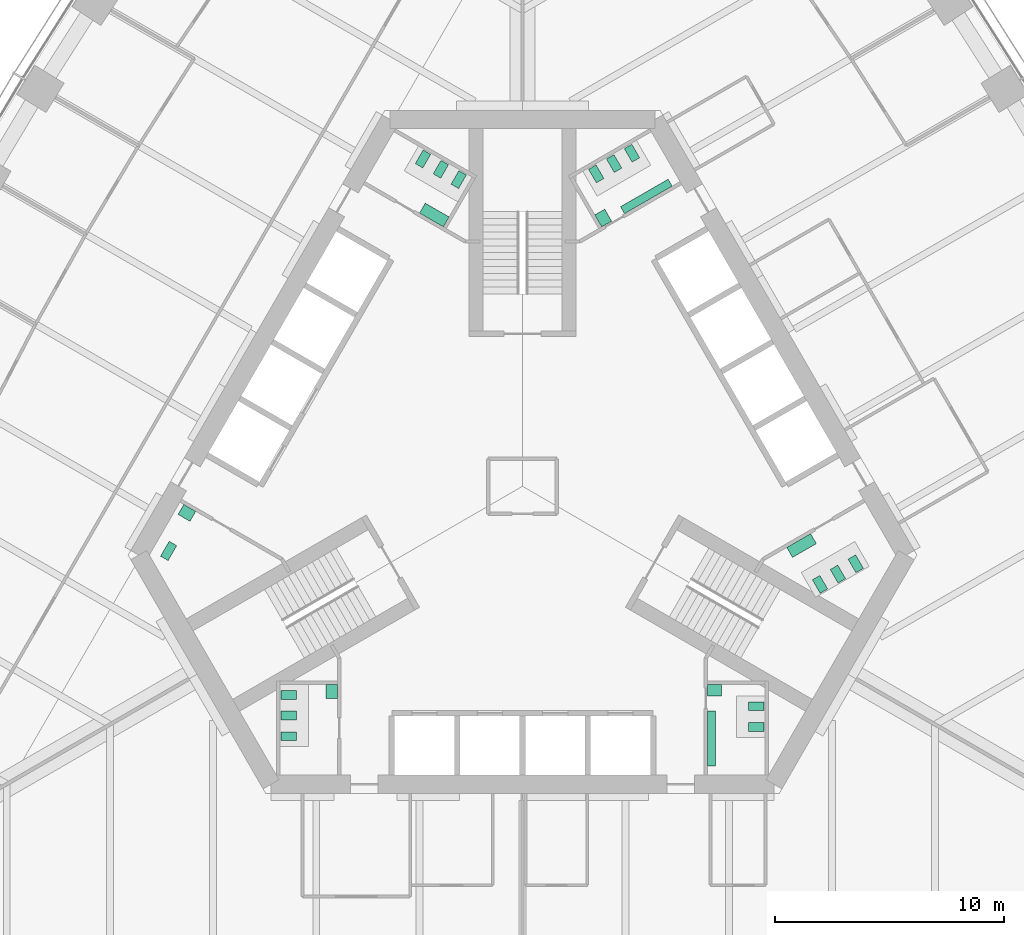
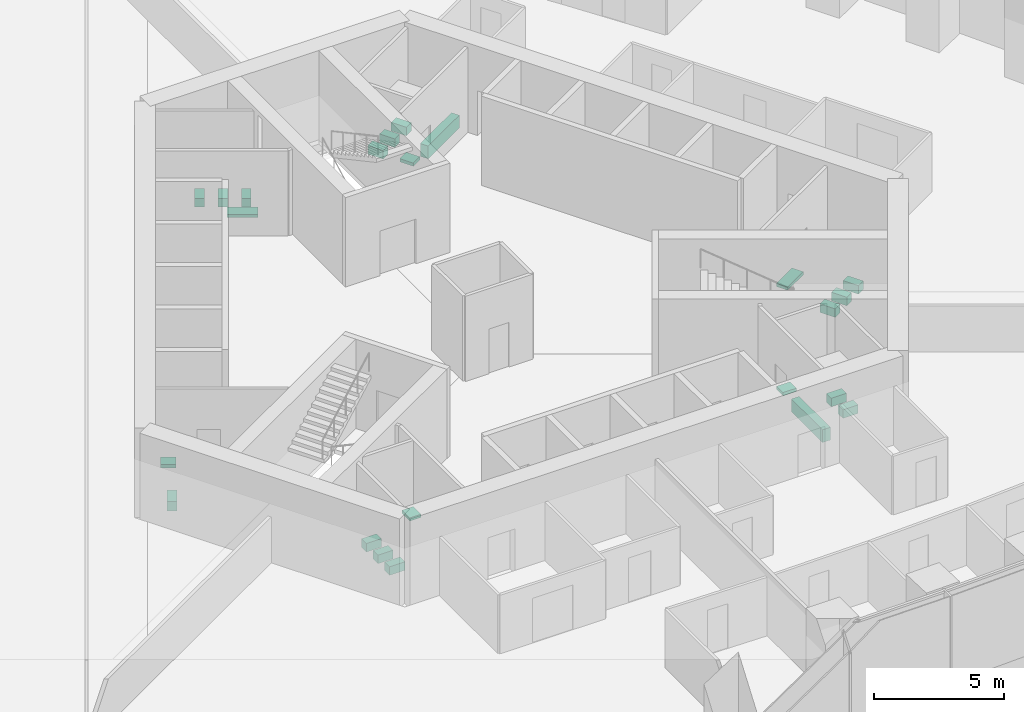
# One storey, part 17 of 18: 23 sanitary terminals.
"""IFC4 building model written with IfcOpenShell, lengths in metres."""

from ifc_helpers import new_model, si_unit, direction, frame, origin, place, context, subcontext, project, spatial, polyline, outline, extrude, material, type_object, element, save


model = new_model("IFC4")

# Units and contexts
model_context = context("Model", 3, precision=1e-05, world=origin(), true_north=direction((0.0, 1.0)))
body_context = subcontext(model_context, "Body", "Model", "MODEL_VIEW")
ifc_project = project(units=[si_unit("LENGTHUNIT", "METRE"), si_unit("AREAUNIT", "SQUARE_METRE"), si_unit("VOLUMEUNIT", "CUBIC_METRE"), si_unit("PLANEANGLEUNIT", "RADIAN"), si_unit("MASSUNIT", "GRAM", prefix="KILO")], contexts=[model_context])

# Site, building, storey
site_placement = place(None, origin())
site = spatial("IfcSite", under=ifc_project, at=site_placement, CompositionType="ELEMENT")
building_placement = place(site_placement, origin())
building = spatial("IfcBuilding", under=site, at=building_placement, Name="Trefoil Bronze Tower", CompositionType="ELEMENT")
storey_placement = place(building_placement, frame((0.0, 0.0, 24.89990234375)))
storey = spatial("IfcBuildingStorey", under=building, at=storey_placement, Name="L05", CompositionType="ELEMENT", Elevation=24.89990234375)

# Sanitary terminals
ifc_material_1 = material(Name="Vitreous china", Category="ceramic")
sanitary_terminal_type_1 = type_object("IfcSanitaryTerminalType", Name="Accessible WC pan", PredefinedType="TOILETPAN", material=ifc_material_1)
sanitary_terminal_1_placement = place(storey_placement, origin())
element("IfcSanitaryTerminal", 1, at=sanitary_terminal_1_placement, inside=storey, type_object=sanitary_terminal_type_1, Name="WC pan 1 Accessible WC L05", PredefinedType="TOILETPAN", context=body_context, shape_type="SweptSolid", body=[
    extrude(outline(polyline([(-15.085693359375, -2.589111328125), (-15.460693359375, -3.238525390625), (-15.789794921875, -3.048583984375), (-15.414794921875, -2.399169921875), (-15.085693359375, -2.589111328125)])), origin(), (0.0, 0.0, 1.0), 0.4501953125),
])
ifc_material_2 = material(Name="Vitreous china", Category="ceramic")
sanitary_terminal_type_2 = type_object("IfcSanitaryTerminalType", Name="Accessible basin", PredefinedType="WASHHANDBASIN", material=ifc_material_2)
sanitary_terminal_2_placement = place(storey_placement, frame((0.0, 0.0, 0.650146484375)))
element("IfcSanitaryTerminal", 2, at=sanitary_terminal_2_placement, inside=storey, type_object=sanitary_terminal_type_2, Name="Wash basin Accessible WC L05", PredefinedType="WASHHANDBASIN", context=body_context, shape_type="SweptSolid", body=[
    extrude(outline(polyline([(-14.256591796875, -1.09326171875), (-14.506591796875, -1.526123046875), (-15.026123046875, -1.22607421875), (-14.776123046875, -0.793212890625), (-14.256591796875, -1.09326171875)])), origin(), (0.0, 0.0, 1.0), 0.14990234375),
])
ifc_material_3 = material(Name="Vitreous china", Category="ceramic")
sanitary_terminal_type_3 = type_object("IfcSanitaryTerminalType", Name="Urinal range 4 urinals", PredefinedType="URINAL", material=ifc_material_3)
sanitary_terminal_3_placement = place(storey_placement, frame((0.0, 0.0, 0.400146484375)))
element("IfcSanitaryTerminal", 3, at=sanitary_terminal_3_placement, inside=storey, type_object=sanitary_terminal_type_3, Name="Urinal range WC (men) L05", PredefinedType="URINAL", context=body_context, shape_type="SweptSolid", body=[
    extrude(outline(polyline([(8.074951171875, -9.800048828125), (8.425048828125, -9.800048828125), (8.425048828125, -12.199951171875), (8.074951171875, -12.199951171875), (8.074951171875, -9.800048828125)])), origin(), (0.0, 0.0, 1.0), 0.599853515625),
])
sanitary_terminal_4_placement = place(storey_placement, frame((0.0, 0.0, 0.400146484375)))
element("IfcSanitaryTerminal", 4, at=sanitary_terminal_4_placement, inside=storey, type_object=sanitary_terminal_type_3, Name="Urinal range WC (men) L05", PredefinedType="URINAL", context=body_context, shape_type="SweptSolid", body=[
    extrude(outline(polyline([(4.449462890625, 11.89306640625), (4.274658203125, 12.1962890625), (6.35302734375, 13.396240234375), (6.528076171875, 13.09326171875), (4.449462890625, 11.89306640625)])), origin(), (0.0, 0.0, 1.0), 0.599853515625),
])
ifc_material_4 = material(Name="Solid surface vanity", Category="plastic")
sanitary_terminal_type_4 = type_object("IfcSanitaryTerminalType", Name="Vanity unit 1 basins", PredefinedType="WASHHANDBASIN", material=ifc_material_4)
sanitary_terminal_5_placement = place(storey_placement, frame((0.0, 0.0, 0.75)))
element("IfcSanitaryTerminal", 5, at=sanitary_terminal_5_placement, inside=storey, type_object=sanitary_terminal_type_4, Name="Vanity unit WC (men) L05", PredefinedType="WASHHANDBASIN", context=body_context, shape_type="SweptSolid", body=[
    extrude(outline(polyline([(8.074951171875, -8.64990234375), (8.675048828125, -8.64990234375), (8.675048828125, -9.14990234375), (8.074951171875, -9.14990234375), (8.074951171875, -8.64990234375)])), origin(), (0.0, 0.0, 1.0), 0.150146484375),
])
sanitary_terminal_6_placement = place(storey_placement, frame((0.0, 0.0, 0.75)))
element("IfcSanitaryTerminal", 6, at=sanitary_terminal_6_placement, inside=storey, type_object=sanitary_terminal_type_4, Name="Vanity unit WC (men) L05", PredefinedType="WASHHANDBASIN", context=body_context, shape_type="SweptSolid", body=[
    extrude(outline(polyline([(3.45361328125, 11.318115234375), (3.153564453125, 11.837890625), (3.586669921875, 12.087890625), (3.88671875, 11.568115234375), (3.45361328125, 11.318115234375)])), origin(), (0.0, 0.0, 1.0), 0.150146484375),
])
sanitary_terminal_7_placement = place(storey_placement, frame((0.0, 0.0, 0.75)))
element("IfcSanitaryTerminal", 7, at=sanitary_terminal_7_placement, inside=storey, type_object=sanitary_terminal_type_4, Name="Vanity unit WC (women) L05", PredefinedType="WASHHANDBASIN", context=body_context, shape_type="SweptSolid", body=[
    extrude(outline(polyline([(-8.074951171875, -8.64990234375), (-8.574951171875, -8.64990234375), (-8.574951171875, -9.25), (-8.074951171875, -9.25), (-8.074951171875, -8.64990234375)])), origin(), (0.0, 0.0, 1.0), 0.150146484375),
])
ifc_material_5 = material(Name="Solid surface vanity", Category="plastic")
sanitary_terminal_type_5 = type_object("IfcSanitaryTerminalType", Name="Vanity unit 2 basins", PredefinedType="WASHHANDBASIN", material=ifc_material_5)
sanitary_terminal_8_placement = place(storey_placement, frame((0.0, 0.0, 0.75)))
element("IfcSanitaryTerminal", 8, at=sanitary_terminal_8_placement, inside=storey, type_object=sanitary_terminal_type_5, Name="Vanity unit WC (women) L05", PredefinedType="WASHHANDBASIN", context=body_context, shape_type="SweptSolid", body=[
    extrude(outline(polyline([(11.528564453125, -2.668212890625), (11.778564453125, -3.10107421875), (12.81787109375, -2.501220703125), (12.56787109375, -2.068115234375), (11.528564453125, -2.668212890625)])), origin(), (0.0, 0.0, 1.0), 0.150146484375),
])
sanitary_terminal_9_placement = place(storey_placement, frame((0.0, 0.0, 0.75)))
element("IfcSanitaryTerminal", 9, at=sanitary_terminal_9_placement, inside=storey, type_object=sanitary_terminal_type_5, Name="Vanity unit WC (women) L05", PredefinedType="WASHHANDBASIN", context=body_context, shape_type="SweptSolid", body=[
    extrude(outline(polyline([(-3.45361328125, 11.318115234375), (-3.20361328125, 11.751220703125), (-4.242919921875, 12.35107421875), (-4.492919921875, 11.918212890625), (-3.45361328125, 11.318115234375)])), origin(), (0.0, 0.0, 1.0), 0.150146484375),
])
ifc_material_6 = material(Name="Vitreous china", Category="ceramic")
sanitary_terminal_type_6 = type_object("IfcSanitaryTerminalType", Name="WC pan", PredefinedType="TOILETPAN", material=ifc_material_6)
sanitary_terminal_10_placement = place(storey_placement, origin())
element("IfcSanitaryTerminal", 10, at=sanitary_terminal_10_placement, inside=storey, type_object=sanitary_terminal_type_6, Name="WC pan 1 WC (men) L05", PredefinedType="TOILETPAN", context=body_context, shape_type="SweptSolid", body=[
    extrude(outline(polyline([(9.85498046875, -9.409912109375), (10.534912109375, -9.409912109375), (10.534912109375, -9.7900390625), (9.85498046875, -9.7900390625), (9.85498046875, -9.409912109375)])), origin(), (0.0, 0.0, 1.0), 0.400146484375),
])
sanitary_terminal_11_placement = place(storey_placement, origin())
element("IfcSanitaryTerminal", 11, at=sanitary_terminal_11_placement, inside=storey, type_object=sanitary_terminal_type_6, Name="WC pan 2 WC (men) L05", PredefinedType="TOILETPAN", context=body_context, shape_type="SweptSolid", body=[
    extrude(outline(polyline([(9.85498046875, -10.31005859375), (10.534912109375, -10.31005859375), (10.534912109375, -10.68994140625), (9.85498046875, -10.68994140625), (9.85498046875, -10.31005859375)])), origin(), (0.0, 0.0, 1.0), 0.400146484375),
])
sanitary_terminal_12_placement = place(storey_placement, origin())
element("IfcSanitaryTerminal", 12, at=sanitary_terminal_12_placement, inside=storey, type_object=sanitary_terminal_type_6, Name="WC pan 1 WC (women) L05", PredefinedType="TOILETPAN", context=body_context, shape_type="SweptSolid", body=[
    extrude(outline(polyline([(12.643798828125, -4.07958984375), (12.98388671875, -4.66845703125), (13.31298828125, -4.478515625), (12.972900390625, -3.8896484375), (12.643798828125, -4.07958984375)])), origin(), (0.0, 0.0, 1.0), 0.400146484375),
])
sanitary_terminal_13_placement = place(storey_placement, origin())
element("IfcSanitaryTerminal", 13, at=sanitary_terminal_13_placement, inside=storey, type_object=sanitary_terminal_type_6, Name="WC pan 2 WC (women) L05", PredefinedType="TOILETPAN", context=body_context, shape_type="SweptSolid", body=[
    extrude(outline(polyline([(13.423095703125, -3.629638671875), (13.76318359375, -4.218505859375), (14.09228515625, -4.028564453125), (13.752197265625, -3.439697265625), (13.423095703125, -3.629638671875)])), origin(), (0.0, 0.0, 1.0), 0.400146484375),
])
sanitary_terminal_14_placement = place(storey_placement, origin())
element("IfcSanitaryTerminal", 14, at=sanitary_terminal_14_placement, inside=storey, type_object=sanitary_terminal_type_6, Name="WC pan 3 WC (women) L05", PredefinedType="TOILETPAN", context=body_context, shape_type="SweptSolid", body=[
    extrude(outline(polyline([(14.20263671875, -3.1796875), (14.542724609375, -3.7685546875), (14.871826171875, -3.57861328125), (14.53173828125, -2.98974609375), (14.20263671875, -3.1796875)])), origin(), (0.0, 0.0, 1.0), 0.400146484375),
])
sanitary_terminal_15_placement = place(storey_placement, origin())
element("IfcSanitaryTerminal", 15, at=sanitary_terminal_15_placement, inside=storey, type_object=sanitary_terminal_type_6, Name="WC pan 1 WC (men) L05", PredefinedType="TOILETPAN", context=body_context, shape_type="SweptSolid", body=[
    extrude(outline(polyline([(3.2216796875, 13.23974609375), (2.8818359375, 13.82861328125), (3.2109375, 14.0185546875), (3.55078125, 13.4296875), (3.2216796875, 13.23974609375)])), origin(), (0.0, 0.0, 1.0), 0.400146484375),
])
sanitary_terminal_16_placement = place(storey_placement, origin())
element("IfcSanitaryTerminal", 16, at=sanitary_terminal_16_placement, inside=storey, type_object=sanitary_terminal_type_6, Name="WC pan 2 WC (men) L05", PredefinedType="TOILETPAN", context=body_context, shape_type="SweptSolid", body=[
    extrude(outline(polyline([(4.001220703125, 13.689697265625), (3.6611328125, 14.278564453125), (3.990234375, 14.468505859375), (4.330322265625, 13.879638671875), (4.001220703125, 13.689697265625)])), origin(), (0.0, 0.0, 1.0), 0.400146484375),
])
sanitary_terminal_17_placement = place(storey_placement, origin())
element("IfcSanitaryTerminal", 17, at=sanitary_terminal_17_placement, inside=storey, type_object=sanitary_terminal_type_6, Name="WC pan 3 WC (men) L05", PredefinedType="TOILETPAN", context=body_context, shape_type="SweptSolid", body=[
    extrude(outline(polyline([(4.78076171875, 14.1396484375), (4.440673828125, 14.728515625), (4.769775390625, 14.91845703125), (5.109619140625, 14.32958984375), (4.78076171875, 14.1396484375)])), origin(), (0.0, 0.0, 1.0), 0.400146484375),
])
sanitary_terminal_18_placement = place(storey_placement, origin())
element("IfcSanitaryTerminal", 18, at=sanitary_terminal_18_placement, inside=storey, type_object=sanitary_terminal_type_6, Name="WC pan 1 WC (women) L05", PredefinedType="TOILETPAN", context=body_context, shape_type="SweptSolid", body=[
    extrude(outline(polyline([(-2.788818359375, 12.98974609375), (-2.44873046875, 13.57861328125), (-2.77783203125, 13.7685546875), (-3.117919921875, 13.1796875), (-2.788818359375, 12.98974609375)])), origin(), (0.0, 0.0, 1.0), 0.400146484375),
])
sanitary_terminal_19_placement = place(storey_placement, origin())
element("IfcSanitaryTerminal", 19, at=sanitary_terminal_19_placement, inside=storey, type_object=sanitary_terminal_type_6, Name="WC pan 2 WC (women) L05", PredefinedType="TOILETPAN", context=body_context, shape_type="SweptSolid", body=[
    extrude(outline(polyline([(-3.568115234375, 13.439697265625), (-3.228271484375, 14.028564453125), (-3.557373046875, 14.218505859375), (-3.897216796875, 13.629638671875), (-3.568115234375, 13.439697265625)])), origin(), (0.0, 0.0, 1.0), 0.400146484375),
])
sanitary_terminal_20_placement = place(storey_placement, origin())
element("IfcSanitaryTerminal", 20, at=sanitary_terminal_20_placement, inside=storey, type_object=sanitary_terminal_type_6, Name="WC pan 3 WC (women) L05", PredefinedType="TOILETPAN", context=body_context, shape_type="SweptSolid", body=[
    extrude(outline(polyline([(-4.34765625, 13.8896484375), (-4.007568359375, 14.478515625), (-4.336669921875, 14.66845703125), (-4.6767578125, 14.07958984375), (-4.34765625, 13.8896484375)])), origin(), (0.0, 0.0, 1.0), 0.400146484375),
])
sanitary_terminal_21_placement = place(storey_placement, origin())
element("IfcSanitaryTerminal", 21, at=sanitary_terminal_21_placement, inside=storey, type_object=sanitary_terminal_type_6, Name="WC pan 1 WC (women) L05", PredefinedType="TOILETPAN", context=body_context, shape_type="SweptSolid", body=[
    extrude(outline(polyline([(-9.85498046875, -8.909912109375), (-10.534912109375, -8.909912109375), (-10.534912109375, -9.2900390625), (-9.85498046875, -9.2900390625), (-9.85498046875, -8.909912109375)])), origin(), (0.0, 0.0, 1.0), 0.400146484375),
])
sanitary_terminal_22_placement = place(storey_placement, origin())
element("IfcSanitaryTerminal", 22, at=sanitary_terminal_22_placement, inside=storey, type_object=sanitary_terminal_type_6, Name="WC pan 2 WC (women) L05", PredefinedType="TOILETPAN", context=body_context, shape_type="SweptSolid", body=[
    extrude(outline(polyline([(-9.85498046875, -9.81005859375), (-10.534912109375, -9.81005859375), (-10.534912109375, -10.18994140625), (-9.85498046875, -10.18994140625), (-9.85498046875, -9.81005859375)])), origin(), (0.0, 0.0, 1.0), 0.400146484375),
])
sanitary_terminal_23_placement = place(storey_placement, origin())
element("IfcSanitaryTerminal", 23, at=sanitary_terminal_23_placement, inside=storey, type_object=sanitary_terminal_type_6, Name="WC pan 3 WC (women) L05", PredefinedType="TOILETPAN", context=body_context, shape_type="SweptSolid", body=[
    extrude(outline(polyline([(-9.85498046875, -10.7099609375), (-10.534912109375, -10.7099609375), (-10.534912109375, -11.090087890625), (-9.85498046875, -11.090087890625), (-9.85498046875, -10.7099609375)])), origin(), (0.0, 0.0, 1.0), 0.400146484375),
])

save(model, "model.ifc")
